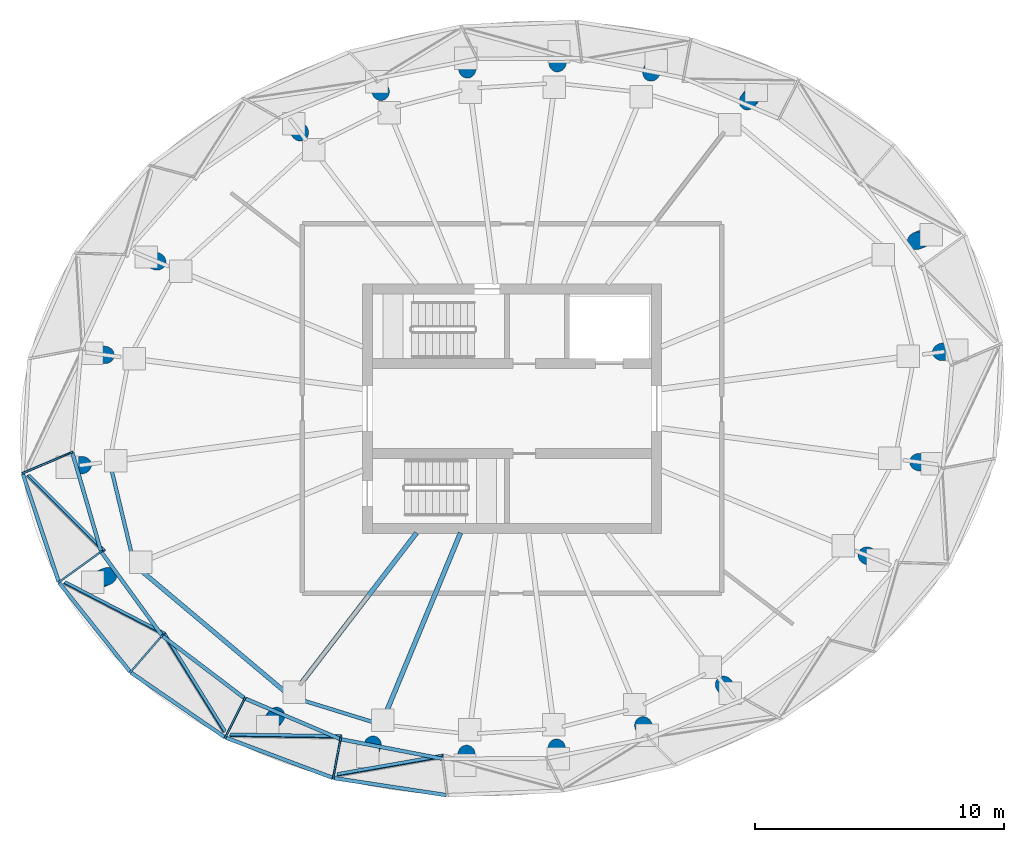
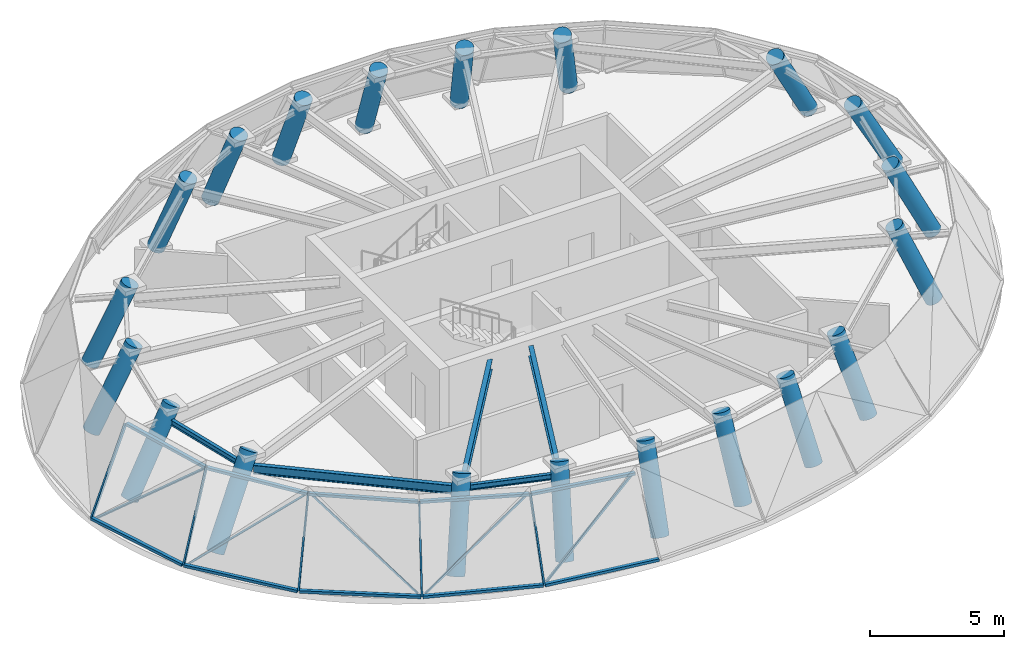
# One storey, part 1 of 9: 20 columns, 20 members, 5 beams, 10 elements without a shape of their own.
"""IFC4 building model written with IfcOpenShell, lengths in metres."""

from ifc_helpers import new_model, si_unit, direction, frame, origin, origin_2d, place, context, subcontext, project, spatial, rectangle, circle, i_section, extrude, source, transform, mapped, material, layer, layer_set, material_profile, profile_set, type_object, element, aggregate, save


model = new_model("IFC4")

# Units and contexts
model_context = context("Model", 3, precision=1e-05, world=origin(), true_north=direction((0.0, 1.0)))
body_context = subcontext(model_context, "Body", "Model", "MODEL_VIEW")
ifc_project = project(units=[si_unit("LENGTHUNIT", "METRE"), si_unit("AREAUNIT", "SQUARE_METRE"), si_unit("VOLUMEUNIT", "CUBIC_METRE"), si_unit("PLANEANGLEUNIT", "RADIAN"), si_unit("MASSUNIT", "GRAM", prefix="KILO")], contexts=[model_context])

# Site, building, storey
site_placement = place(None, origin())
site = spatial("IfcSite", under=ifc_project, at=site_placement, CompositionType="ELEMENT")
building_placement = place(site_placement, origin())
building = spatial("IfcBuilding", under=site, at=building_placement, Name="Spindrift Exchange Tower", CompositionType="ELEMENT")
storey_placement = place(building_placement, frame((0.0, 0.0, 273.10009765625)))
storey = spatial("IfcBuildingStorey", under=building, at=storey_placement, Name="L67", CompositionType="ELEMENT", Elevation=273.10009765625)

# Columns
ifc_material_1 = material(Name="Concrete 40 MPa", Category="concrete")
ifc_material_profile_1 = material_profile(ifc_material_1, circle(Radius=0.35009765625, at=origin_2d()), Name="RC D700")
ifc_profile_set_1 = profile_set([ifc_material_profile_1], Name="Concrete 40 MPa")
column_type = type_object("IfcColumnType", Name="RC Perimeter Column D700 Concrete 40 MPa", PredefinedType="COLUMN", material=ifc_profile_set_1)
shared_shape_1 = source(origin(), body_context, "Body", "SweptSolid", [
    extrude(circle(Radius=0.35009765625, at=origin_2d()), origin(), (0.0, 0.0, 1.0), 4.014404296875),
])
for number, where, z_axis, x_axis, name in (
    (1, (69.828125, 50.34716796875, 0.17431640625), (-0.485558404991, -0.063918071599, 0.871864390525), (0.130512333023, -0.991446685873, 0.0), "Perimeter column P6-01 L67"),
    (2, (34.171875, 45.65283203125, 0.17431640625), (0.485558404991, 0.063918071599, 0.871864390525), (-0.130512333023, 0.991446685873, 0.0), "Perimeter column P6-13 L67"),
):
    element("IfcColumn", number, at=place(storey_placement, frame(where, z_axis=z_axis, x_axis=x_axis)), inside=storey, type_object=column_type, Name=name, PredefinedType="COLUMN", context=body_context, shape_type="MappedRepresentation", body=[
        mapped(shared_shape_1, transform((0.0, 0.0, 0.0), scale=1.0)),
    ])
shared_shape_2 = source(origin(), body_context, "Body", "SweptSolid", [
    extrude(circle(Radius=0.35009765625, at=origin_2d()), origin(), (0.0, 0.0, 1.0), 3.907958984375),
])
for number, where, z_axis, x_axis, name in (
    (3, (61.78857421875, 60.756591796875, 0.15869140625), (-0.270818872405, -0.352907914698, 0.895607694302), (0.793328254579, -0.608794119951, 0.0), "Perimeter column P6-04 L67"),
    (4, (42.21142578125, 35.243408203125, 0.15869140625), (0.270818872405, 0.352907914698, 0.895607694302), (-0.793328254579, 0.608794119951, 0.0), "Perimeter column P6-16 L67"),
):
    element("IfcColumn", number, at=place(storey_placement, frame(where, z_axis=z_axis, x_axis=x_axis)), inside=storey, type_object=column_type, Name=name, PredefinedType="COLUMN", context=body_context, shape_type="MappedRepresentation", body=[
        mapped(shared_shape_2, transform((0.0, 0.0, 0.0), scale=1.0)),
    ])
shared_shape_3 = source(origin(), body_context, "Body", "SweptSolid", [
    extrude(circle(Radius=0.35009765625, at=origin_2d()), origin(), (0.0, 0.0, 1.0), 3.784423828125),
])
for number, where, z_axis, x_axis, name in (
    (5, (53.88330078125, 62.30419921875, 0.135986328125), (-0.049674543277, -0.377074942147, 0.924849678464), (0.99143407694, -0.130608081992, 0.0), "Perimeter column P6-06 L67"),
    (6, (50.11669921875, 33.69580078125, 0.135986328125), (0.049674543277, 0.377074942147, 0.924849678464), (-0.99143407694, 0.130608081992, 0.0), "Perimeter column P6-18 L67"),
):
    element("IfcColumn", number, at=place(storey_placement, frame(where, z_axis=z_axis, x_axis=x_axis)), inside=storey, type_object=column_type, Name=name, PredefinedType="COLUMN", context=body_context, shape_type="MappedRepresentation", body=[
        mapped(shared_shape_3, transform((0.0, 0.0, 0.0), scale=1.0)),
    ])
shared_shape_4 = source(origin(), body_context, "Body", "SweptSolid", [
    extrude(circle(Radius=0.35009765625, at=origin_2d()), origin(), (0.0, 0.0, 1.0), 3.75927734375),
])
for number, where, z_axis, x_axis, name in (
    (7, (50.152099609375, 62.0361328125, 0.130615234375), (0.047668800905, -0.361802302239, 0.931035326674), (0.991431868961, 0.130624841468, 0.0), "Perimeter column P6-07 L67"),
    (8, (53.847900390625, 33.9638671875, 0.130615234375), (-0.047668800905, 0.361802302239, 0.931035326674), (-0.991431868961, -0.130624841468, 0.0), "Perimeter column P6-19 L67"),
):
    element("IfcColumn", number, at=place(storey_placement, frame(where, z_axis=z_axis, x_axis=x_axis)), inside=storey, type_object=column_type, Name=name, PredefinedType="COLUMN", context=body_context, shape_type="MappedRepresentation", body=[
        mapped(shared_shape_4, transform((0.0, 0.0, 0.0), scale=1.0)),
    ])
shared_shape_5 = source(origin(), body_context, "Body", "SweptSolid", [
    extrude(circle(Radius=0.35009765625, at=origin_2d()), origin(), (0.0, 0.0, 1.0), 3.746826171875),
])
for number, where, z_axis, x_axis, name in (
    (9, (46.574462890625, 61.098388671875, 0.127685546875), (0.136577604612, -0.329715018769, 0.934149112464), (0.923874408562, 0.38269580244, 0.0), "Perimeter column P6-08 L67"),
    (10, (57.425537109375, 34.901611328125, 0.127685546875), (-0.136577604612, 0.329715018769, 0.934149112464), (-0.923874408562, -0.38269580244, 0.0), "Perimeter column P6-20 L67"),
):
    element("IfcColumn", number, at=place(storey_placement, frame(where, z_axis=z_axis, x_axis=x_axis)), inside=storey, type_object=column_type, Name=name, PredefinedType="COLUMN", context=body_context, shape_type="MappedRepresentation", body=[
        mapped(shared_shape_5, transform((0.0, 0.0, 0.0), scale=1.0)),
    ])
shared_shape_6 = source(origin(), body_context, "Body", "SweptSolid", [
    extrude(circle(Radius=0.35009765625, at=origin_2d()), origin(), (0.0, 0.0, 1.0), 3.807373046875),
])
for number, where, z_axis, x_axis, name in (
    (11, (37.3330078125, 54.0751953125, 0.140625), (0.363645996148, -0.150626775693, 0.919278610613), (0.382682721486, 0.923879826967, 0.0), "Perimeter column P6-11 L67"),
    (12, (66.6669921875, 41.9248046875, 0.140625), (-0.363645996148, 0.150626775693, 0.919278610613), (-0.382682721486, -0.923879826967, 0.0), "Perimeter column P6-23 L67"),
):
    element("IfcColumn", number, at=place(storey_placement, frame(where, z_axis=z_axis, x_axis=x_axis)), inside=storey, type_object=column_type, Name=name, PredefinedType="COLUMN", context=body_context, shape_type="MappedRepresentation", body=[
        mapped(shared_shape_6, transform((0.0, 0.0, 0.0), scale=1.0)),
    ])
shared_shape_7 = source(origin(), body_context, "Body", "SweptSolid", [
    extrude(circle(Radius=0.35009765625, at=origin_2d()), origin(), (0.0, 0.0, 1.0), 3.898193359375),
])
for number, where, z_axis, x_axis, name in (
    (13, (35.161865234375, 50.216796875, 0.156982421875), (0.436525820631, -0.057493644669, 0.897852821316), (0.130579616175, 0.991437826512, 0.0), "Perimeter column P6-12 L67"),
    (14, (68.838134765625, 45.783203125, 0.156982421875), (-0.436525820631, 0.057493644669, 0.897852821316), (-0.130579616175, -0.991437826512, 0.0), "Perimeter column P6-24 L67"),
):
    element("IfcColumn", number, at=place(storey_placement, frame(where, z_axis=z_axis, x_axis=x_axis)), inside=storey, type_object=column_type, Name=name, PredefinedType="COLUMN", context=body_context, shape_type="MappedRepresentation", body=[
        mapped(shared_shape_7, transform((0.0, 0.0, 0.0), scale=1.0)),
    ])
shared_shape_8 = source(origin(), body_context, "Body", "SweptSolid", [
    extrude(circle(Radius=0.35009765625, at=origin_2d()), origin(), (0.0, 0.0, 1.0), 4.069580078125),
])
for number, where, z_axis, x_axis, name in (
    (15, (68.801513671875, 54.95947265625, 0.181396484375), (-0.471360109961, -0.195275188739, 0.860050723737), (0.38273602667, -0.923857745483, 0.0), "Perimeter column P6-02 L67"),
    (16, (35.198486328125, 41.04052734375, 0.181396484375), (0.471360109961, 0.195275188739, 0.860050723737), (-0.38273602667, 0.923857745483, 0.0), "Perimeter column P6-14 L67"),
):
    element("IfcColumn", number, at=place(storey_placement, frame(where, z_axis=z_axis, x_axis=x_axis)), inside=storey, type_object=column_type, Name=name, PredefinedType="COLUMN", context=body_context, shape_type="MappedRepresentation", body=[
        mapped(shared_shape_8, transform((0.0, 0.0, 0.0), scale=1.0)),
    ])
shared_shape_9 = source(origin(), body_context, "Body", "SweptSolid", [
    extrude(circle(Radius=0.35009765625, at=origin_2d()), origin(), (0.0, 0.0, 1.0), 3.833740234375),
])
for number, where, z_axis, x_axis, name in (
    (17, (57.773193359375, 61.9375, 0.145751953125), (-0.156149965991, -0.377001549212, 0.912955102956), (0.923887493655, -0.382664211899, 0.0), "Perimeter column P6-05 L67"),
    (18, (46.226806640625, 34.0625, 0.145751953125), (0.156149965991, 0.377001549212, 0.912955102956), (-0.923887493655, 0.382664211899, 0.0), "Perimeter column P6-17 L67"),
):
    element("IfcColumn", number, at=place(storey_placement, frame(where, z_axis=z_axis, x_axis=x_axis)), inside=storey, type_object=column_type, Name=name, PredefinedType="COLUMN", context=body_context, shape_type="MappedRepresentation", body=[
        mapped(shared_shape_9, transform((0.0, 0.0, 0.0), scale=1.0)),
    ])
shared_shape_10 = source(origin(), body_context, "Body", "SweptSolid", [
    extrude(circle(Radius=0.35009765625, at=origin_2d()), origin(), (0.0, 0.0, 1.0), 3.738525390625),
])
for number, where, z_axis, x_axis, name in (
    (19, (43.244384765625, 59.410400390625, 0.1259765625), (0.213999096527, -0.278845328706, 0.936188906869), (0.79330723931, 0.608821504267, 0.0), "Perimeter column P6-09 L67"),
    (20, (60.755615234375, 36.589599609375, 0.1259765625), (-0.213999096527, 0.278845328706, 0.936188906869), (-0.79330723931, -0.608821504267, 0.0), "Perimeter column P6-21 L67"),
):
    element("IfcColumn", number, at=place(storey_placement, frame(where, z_axis=z_axis, x_axis=x_axis)), inside=storey, type_object=column_type, Name=name, PredefinedType="COLUMN", context=body_context, shape_type="MappedRepresentation", body=[
        mapped(shared_shape_10, transform((0.0, 0.0, 0.0), scale=1.0)),
    ])

# Beams
ifc_material_2 = material(Name="Steel Grade 300", Category="steel")
ifc_material_profile_2 = material_profile(ifc_material_2, i_section(OverallWidth=0.18994140625, OverallDepth=0.45703125, WebThickness=0.009033203125, FlangeThickness=0.014404296875, FilletRadius=0.013916015625, at=origin_2d()), Name="460UB74.6")
ifc_profile_set_2 = profile_set([ifc_material_profile_2], Name="Steel Grade 300")
beam_type_1 = type_object("IfcBeamType", Name="Floor Beam 460UB74.6 Steel Grade 300", PredefinedType="BEAM", material=ifc_profile_set_2)
shared_shape_11 = source(origin(), body_context, "Body", "SweptSolid", [
    extrude(i_section(OverallWidth=0.18994140625, OverallDepth=0.45703125, WebThickness=0.009033203125, FlangeThickness=0.014404296875, FilletRadius=0.013916015625, at=origin_2d()), origin(), (0.0, 0.0, 1.0), 7.946533203125),
])
beam_1_placement = place(storey_placement, frame((48.175537109375, 43.015869140625, 2.991455078125), z_axis=(-0.608767523831, -0.793348663532, 0.0), x_axis=(0.793348663532, -0.608767523831, 0.0)))
element("IfcBeam", 21, at=beam_1_placement, inside=storey, type_object=beam_type_1, Name="L67 radial beam R16A", PredefinedType="BEAM", context=body_context, shape_type="MappedRepresentation", body=[
    mapped(shared_shape_11, transform((0.0, 0.0, 0.0), scale=1.0)),
])
shared_shape_12 = source(origin(), body_context, "Body", "SweptSolid", [
    extrude(i_section(OverallWidth=0.18994140625, OverallDepth=0.45703125, WebThickness=0.009033203125, FlangeThickness=0.014404296875, FilletRadius=0.013916015625, at=origin_2d()), origin(), (0.0, 0.0, 1.0), 7.989990234375),
])
beam_2_placement = place(storey_placement, frame((49.9365234375, 43.0185546875, 2.991455078125), z_axis=(-0.382679226245, -0.923881274732, 0.0), x_axis=(0.923881274732, -0.382679226245, 0.0)))
element("IfcBeam", 22, at=beam_2_placement, inside=storey, type_object=beam_type_1, Name="L67 radial beam R17A", PredefinedType="BEAM", context=body_context, shape_type="MappedRepresentation", body=[
    mapped(shared_shape_12, transform((0.0, 0.0, 0.0), scale=1.0)),
])
ifc_material_profile_3 = material_profile(ifc_material_2, i_section(OverallWidth=0.14599609375, OverallDepth=0.251953125, WebThickness=0.006103515625, FlangeThickness=0.008544921875, FilletRadius=0.011962890625, at=origin_2d()), Name="250UB31.4")
ifc_profile_set_3 = profile_set([ifc_material_profile_3], Name="Steel Grade 300")
beam_type_2 = type_object("IfcBeamType", Name="Edge Beam 250UB31.4 Steel Grade 300", PredefinedType="SPANDREL", material=ifc_profile_set_3)
shared_shape_13 = source(origin(), body_context, "Body", "SweptSolid", [
    extrude(i_section(OverallWidth=0.14599609375, OverallDepth=0.251953125, WebThickness=0.006103515625, FlangeThickness=0.008544921875, FilletRadius=0.011962890625, at=origin_2d()), origin(), (0.0, 0.0, 1.0), 3.603759765625),
])
beam_3_placement = place(storey_placement, frame((35.9453125, 45.555419921875, 3.093994140625), z_axis=(0.233454944562, -0.972367620224, 0.0), x_axis=(0.972367620224, 0.233454944562, 0.0)))
element("IfcBeam", 23, at=beam_3_placement, inside=storey, type_object=beam_type_2, Name="L67 edge beam E13", PredefinedType="SPANDREL", context=body_context, shape_type="MappedRepresentation", body=[
    mapped(shared_shape_13, transform((0.0, 0.0, 0.0), scale=1.0)),
])
ifc_material_profile_4 = material_profile(ifc_material_2, i_section(OverallWidth=0.177978515625, OverallDepth=0.406005859375, WebThickness=0.0078125, FlangeThickness=0.0126953125, FilletRadius=0.013916015625, at=origin_2d()), Name="410UB59.7")
ifc_profile_set_4 = profile_set([ifc_material_profile_4], Name="Steel Grade 300")
beam_type_3 = type_object("IfcBeamType", Name="Edge Beam 410UB59.7 Steel Grade 300", PredefinedType="SPANDREL", material=ifc_profile_set_4)
shared_shape_14 = source(origin(), body_context, "Body", "SweptSolid", [
    extrude(i_section(OverallWidth=0.177978515625, OverallDepth=0.406005859375, WebThickness=0.0078125, FlangeThickness=0.0126953125, FilletRadius=0.013916015625, at=origin_2d()), origin(), (0.0, 0.0, 1.0), 7.540283203125),
])
beam_4_placement = place(storey_placement, frame((37.1162109375, 41.517822265625, 3.016845703125), z_axis=(0.765043005757, -0.6439791917, 0.0), x_axis=(0.6439791917, 0.765043005757, 0.0)))
element("IfcBeam", 24, at=beam_4_placement, inside=storey, type_object=beam_type_3, Name="L67 edge beam E14", PredefinedType="SPANDREL", context=body_context, shape_type="MappedRepresentation", body=[
    mapped(shared_shape_14, transform((0.0, 0.0, 0.0), scale=1.0)),
])
shared_shape_15 = source(origin(), body_context, "Body", "SweptSolid", [
    extrude(i_section(OverallWidth=0.14599609375, OverallDepth=0.251953125, WebThickness=0.006103515625, FlangeThickness=0.008544921875, FilletRadius=0.011962890625, at=origin_2d()), origin(), (0.0, 0.0, 1.0), 3.12451171875),
])
beam_5_placement = place(storey_placement, frame((43.452392578125, 36.352294921875, 3.093994140625), z_axis=(0.955386205653, -0.295359438731, 0.0), x_axis=(0.295359438731, 0.955386205653, 0.0)))
element("IfcBeam", 25, at=beam_5_placement, inside=storey, type_object=beam_type_2, Name="L67 edge beam E16", PredefinedType="SPANDREL", context=body_context, shape_type="MappedRepresentation", body=[
    mapped(shared_shape_15, transform((0.0, 0.0, 0.0), scale=1.0)),
])

# Curtain wall, member
ifc_material_3 = material(Name="Fritted laminated glass with bronze frame", Category="glass")
ifc_layer = layer(ifc_material_3, 0.14990234375)
ifc_layer_set = layer_set([ifc_layer], Name="CROWN BRONZE RAKED GLAZED WALL")
curtain_wall_type = type_object("IfcCurtainWallType", Name="CROWN BRONZE RAKED GLAZED WALL", PredefinedType="NOTDEFINED", material=ifc_layer_set)
curtain_wall_1_placement = place(storey_placement, origin())
curtain_wall_1 = element("IfcCurtainWall", 26, at=curtain_wall_1_placement, inside=storey, type_object=curtain_wall_type, Name="L67 Crown Bronze Raked Glazed Wall facet 25", PredefinedType="NOTDEFINED")
ifc_material_4 = material(Name="Bronze anodised aluminium", Category="aluminium")
ifc_material_profile_5 = material_profile(ifc_material_4, rectangle(XDim=0.14990234375, YDim=0.1201171875, at=origin_2d()), Name="CROWN BRONZE RAKED GLAZED WALL TRANSOM 150X120")
ifc_profile_set_5 = profile_set([ifc_material_profile_5], Name="Bronze anodised aluminium")
member_type_1 = type_object("IfcMemberType", Name="CROWN BRONZE RAKED GLAZED WALL TRANSOM 150X120", PredefinedType="USERDEFINED", material=ifc_profile_set_5)
shared_shape_16 = source(origin(), body_context, "Body", "SweptSolid", [
    extrude(rectangle(XDim=0.14990234375, YDim=0.1201171875, at=origin_2d()), origin(), (0.0, 0.0, 1.0), 4.533203125),
])
member_1_placement = place(storey_placement, frame((32.393798828125, 45.375732421875, 0.059814453125), z_axis=(0.315112723988, -0.949054250916, 0.0), x_axis=(0.949054250916, 0.315112723988, 0.0)))
member_1 = element("IfcMember", 27, at=member_1_placement, type_object=member_type_1, Name="L67 transom CW-R.13a", ObjectType="TRANSOM", PredefinedType="USERDEFINED", context=body_context, shape_type="MappedRepresentation", body=[
    mapped(shared_shape_16, transform((0.0, 0.0, 0.0), scale=1.0)),
])

curtain_wall_2_placement = place(storey_placement, origin())
curtain_wall_2 = element("IfcCurtainWall", 28, at=curtain_wall_2_placement, inside=storey, type_object=curtain_wall_type, Name="L67 Crown Bronze Raked Glazed Wall facet 27", PredefinedType="NOTDEFINED")
shared_shape_17 = source(origin(), body_context, "Body", "SweptSolid", [
    extrude(rectangle(XDim=0.14990234375, YDim=0.1201171875, at=origin_2d()), origin(), (0.0, 0.0, 1.0), 4.5400390625),
])
member_2_placement = place(storey_placement, frame((33.85498046875, 41.0126953125, 0.059814453125), z_axis=(0.62281769166, -0.78236700017, 0.0), x_axis=(0.78236700017, 0.62281769166, 0.0)))
member_2 = element("IfcMember", 29, at=member_2_placement, type_object=member_type_1, Name="L67 transom CW-R.14a", ObjectType="TRANSOM", PredefinedType="USERDEFINED", context=body_context, shape_type="MappedRepresentation", body=[
    mapped(shared_shape_17, transform((0.0, 0.0, 0.0), scale=1.0)),
])

curtain_wall_3_placement = place(storey_placement, origin())
curtain_wall_3 = element("IfcCurtainWall", 30, at=curtain_wall_3_placement, inside=storey, type_object=curtain_wall_type, Name="L67 Crown Bronze Raked Glazed Wall facet 29", PredefinedType="NOTDEFINED")
shared_shape_18 = source(origin(), body_context, "Body", "SweptSolid", [
    extrude(rectangle(XDim=0.14990234375, YDim=0.1201171875, at=origin_2d()), origin(), (0.0, 0.0, 1.0), 4.546630859375),
])
member_3_placement = place(storey_placement, frame((40.477783203125, 34.8349609375, 0.059814453125), z_axis=(-0.82361239241, 0.567153089623, 0.0), x_axis=(-0.567153089623, -0.82361239241, 0.0)))
member_3 = element("IfcMember", 31, at=member_3_placement, type_object=member_type_1, Name="L67 transom CW-R.15a", ObjectType="TRANSOM", PredefinedType="USERDEFINED", context=body_context, shape_type="MappedRepresentation", body=[
    mapped(shared_shape_18, transform((0.0, 0.0, 0.0), scale=1.0)),
])

curtain_wall_4_placement = place(storey_placement, origin())
curtain_wall_4 = element("IfcCurtainWall", 32, at=curtain_wall_4_placement, inside=storey, type_object=curtain_wall_type, Name="L67 Crown Bronze Raked Glazed Wall facet 31", PredefinedType="NOTDEFINED")
shared_shape_19 = source(origin(), body_context, "Body", "SweptSolid", [
    extrude(rectangle(XDim=0.14990234375, YDim=0.1201171875, at=origin_2d()), origin(), (0.0, 0.0, 1.0), 4.55078125),
])
member_4_placement = place(storey_placement, frame((40.539306640625, 34.802734375, 0.059814453125), z_axis=(0.93618358211, -0.351511451575, 0.0), x_axis=(0.351511451575, 0.93618358211, 0.0)))
member_4 = element("IfcMember", 33, at=member_4_placement, type_object=member_type_1, Name="L67 transom CW-R.16a", ObjectType="TRANSOM", PredefinedType="USERDEFINED", context=body_context, shape_type="MappedRepresentation", body=[
    mapped(shared_shape_19, transform((0.0, 0.0, 0.0), scale=1.0)),
])

curtain_wall_5_placement = place(storey_placement, origin())
curtain_wall_5 = element("IfcCurtainWall", 34, at=curtain_wall_5_placement, inside=storey, type_object=curtain_wall_type, Name="L67 Crown Bronze Raked Glazed Wall facet 33", PredefinedType="NOTDEFINED")
shared_shape_20 = source(origin(), body_context, "Body", "SweptSolid", [
    extrude(rectangle(XDim=0.14990234375, YDim=0.1201171875, at=origin_2d()), origin(), (0.0, 0.0, 1.0), 4.552734375),
])
member_5_placement = place(storey_placement, frame((44.866943359375, 33.185546875, 0.059814453125), z_axis=(0.988728497465, -0.149719598922, 0.0), x_axis=(0.149719598922, 0.988728497465, 0.0)))
member_5 = element("IfcMember", 35, at=member_5_placement, type_object=member_type_1, Name="L67 transom CW-R.17a", ObjectType="TRANSOM", PredefinedType="USERDEFINED", context=body_context, shape_type="MappedRepresentation", body=[
    mapped(shared_shape_20, transform((0.0, 0.0, 0.0), scale=1.0)),
])

# Curtain wall, members
curtain_wall_6_placement = place(storey_placement, origin())
curtain_wall_6 = element("IfcCurtainWall", 36, at=curtain_wall_6_placement, inside=storey, type_object=curtain_wall_type, Name="L67 Crown Bronze Raked Glazed Wall facet 26", PredefinedType="NOTDEFINED")
shared_shape_21 = source(origin(), body_context, "Body", "SweptSolid", [
    extrude(rectangle(XDim=0.14990234375, YDim=0.1201171875, at=origin_2d()), origin(), (0.0, 0.0, 1.0), 4.083740234375),
])
member_6_placement = place(storey_placement, frame((34.38037109375, 46.218505859375, 3.159912109375), z_axis=(0.279187231676, -0.960236684193, 0.0), x_axis=(0.960236684193, 0.279187231676, 0.0)))
member_6 = element("IfcMember", 37, at=member_6_placement, type_object=member_type_1, Name="L67 transom CW-R.13b", ObjectType="TRANSOM", PredefinedType="USERDEFINED", context=body_context, shape_type="MappedRepresentation", body=[
    mapped(shared_shape_21, transform((0.0, 0.0, 0.0), scale=1.0)),
])
ifc_material_profile_6 = material_profile(ifc_material_4, rectangle(XDim=0.070068359375, YDim=0.14990234375, at=origin_2d()), Name="CROWN BRONZE RAKED GLAZED WALL MULLION 70X150")
ifc_profile_set_6 = profile_set([ifc_material_profile_6], Name="Bronze anodised aluminium")
member_type_2 = type_object("IfcMemberType", Name="CROWN BRONZE RAKED GLAZED WALL MULLION 70X150", PredefinedType="MULLION", material=ifc_profile_set_6)
shared_shape_22 = source(origin(), body_context, "Body", "SweptSolid", [
    extrude(rectangle(XDim=0.070068359375, YDim=0.14990234375, at=origin_2d()), origin(), (0.0, 0.0, 1.0), 3.7763671875),
])
member_7_placement = place(storey_placement, frame((32.40869140625, 45.419921875, 0.041748046875), z_axis=(0.512732068649, 0.217479596386, 0.830547079301), x_axis=(-0.390484264411, 0.920609601974, 0.0)))
member_7 = element("IfcMember", 38, at=member_7_placement, type_object=member_type_2, Name="L67 mullion CW-R.13", PredefinedType="MULLION", context=body_context, shape_type="MappedRepresentation", body=[
    mapped(shared_shape_22, transform((0.0, 0.0, 0.0), scale=1.0)),
])
aggregate(curtain_wall_6, [member_6, member_7])

# Member
shared_shape_23 = source(origin(), body_context, "Body", "SweptSolid", [
    extrude(rectangle(XDim=0.070068359375, YDim=0.14990234375, at=origin_2d()), origin(), (0.0, 0.0, 1.0), 5.285400390625),
])
member_8_placement = place(storey_placement, frame((32.609619140625, 45.319091796875, 0.060791015625), z_axis=(0.57305094382, -0.572681412339, 0.586215502822), x_axis=(0.141510487084, 0.773718484908, 0.617522864481)))
member_8 = element("IfcMember", 39, at=member_8_placement, type_object=member_type_2, Name="L67 glazing bar CW-R.13", PredefinedType="MULLION", context=body_context, shape_type="MappedRepresentation", body=[
    mapped(shared_shape_23, transform((0.0, 0.0, 0.0), scale=1.0)),
])

aggregate(curtain_wall_1, [member_1, member_8])

# Curtain wall, members
curtain_wall_7_placement = place(storey_placement, origin())
curtain_wall_7 = element("IfcCurtainWall", 40, at=curtain_wall_7_placement, inside=storey, type_object=curtain_wall_type, Name="L67 Crown Bronze Raked Glazed Wall facet 28", PredefinedType="NOTDEFINED")
shared_shape_24 = source(origin(), body_context, "Body", "SweptSolid", [
    extrude(rectangle(XDim=0.14990234375, YDim=0.1201171875, at=origin_2d()), origin(), (0.0, 0.0, 1.0), 4.0888671875),
])
member_9_placement = place(storey_placement, frame((35.55078125, 42.235107421875, 3.159912109375), z_axis=(0.587305084769, -0.809365638883, 0.0), x_axis=(0.809365638883, 0.587305084769, 0.0)))
member_9 = element("IfcMember", 41, at=member_9_placement, type_object=member_type_1, Name="L67 transom CW-R.14b", ObjectType="TRANSOM", PredefinedType="USERDEFINED", context=body_context, shape_type="MappedRepresentation", body=[
    mapped(shared_shape_24, transform((0.0, 0.0, 0.0), scale=1.0)),
])
shared_shape_25 = source(origin(), body_context, "Body", "SweptSolid", [
    extrude(rectangle(XDim=0.070068359375, YDim=0.14990234375, at=origin_2d()), origin(), (0.0, 0.0, 1.0), 3.742431640625),
])
member_10_placement = place(storey_placement, frame((33.854736328125, 41.0556640625, 0.040771484375), z_axis=(0.441971644263, 0.318610997871, 0.838539264259), x_axis=(-0.58477775628, 0.811193550122, 0.0)))
member_10 = element("IfcMember", 42, at=member_10_placement, type_object=member_type_2, Name="L67 mullion CW-R.14", PredefinedType="MULLION", context=body_context, shape_type="MappedRepresentation", body=[
    mapped(shared_shape_25, transform((0.0, 0.0, 0.0), scale=1.0)),
])
aggregate(curtain_wall_7, [member_9, member_10])

# Member
shared_shape_26 = source(origin(), body_context, "Body", "SweptSolid", [
    extrude(rectangle(XDim=0.070068359375, YDim=0.14990234375, at=origin_2d()), origin(), (0.0, 0.0, 1.0), 5.447998046875),
])
member_11_placement = place(storey_placement, frame((34.081298828125, 41.02392578125, 0.0615234375), z_axis=(0.730666176199, -0.378216652997, 0.568400477088), x_axis=(-0.111432011429, 0.755306854642, 0.64582850832)))
member_11 = element("IfcMember", 43, at=member_11_placement, type_object=member_type_2, Name="L67 glazing bar CW-R.14", PredefinedType="MULLION", context=body_context, shape_type="MappedRepresentation", body=[
    mapped(shared_shape_26, transform((0.0, 0.0, 0.0), scale=1.0)),
])

aggregate(curtain_wall_2, [member_2, member_11])

# Curtain wall, member
curtain_wall_8_placement = place(storey_placement, origin())
curtain_wall_8 = element("IfcCurtainWall", 44, at=curtain_wall_8_placement, inside=storey, type_object=curtain_wall_type, Name="L67 Crown Bronze Raked Glazed Wall facet 30", PredefinedType="NOTDEFINED")
shared_shape_27 = source(origin(), body_context, "Body", "SweptSolid", [
    extrude(rectangle(XDim=0.14990234375, YDim=0.1201171875, at=origin_2d()), origin(), (0.0, 0.0, 1.0), 4.09423828125),
])
member_12_placement = place(storey_placement, frame((41.262451171875, 36.40185546875, 3.159912109375), z_axis=(-0.796718002417, 0.604351242759, 0.0), x_axis=(-0.604351242759, -0.796718002417, 0.0)))
member_12 = element("IfcMember", 45, at=member_12_placement, type_object=member_type_1, Name="L67 transom CW-R.15b", ObjectType="TRANSOM", PredefinedType="USERDEFINED", context=body_context, shape_type="MappedRepresentation", body=[
    mapped(shared_shape_27, transform((0.0, 0.0, 0.0), scale=1.0)),
])

# Member
shared_shape_28 = source(origin(), body_context, "Body", "SweptSolid", [
    extrude(rectangle(XDim=0.070068359375, YDim=0.14990234375, at=origin_2d()), origin(), (0.0, 0.0, 1.0), 3.66748046875),
])
member_13_placement = place(storey_placement, frame((36.719482421875, 37.450927734375, 0.03857421875), z_axis=(0.33757115033, 0.389628069983, 0.856875536788), x_axis=(-0.75579132792, 0.654812544658, 0.0)))
member_13 = element("IfcMember", 46, at=member_13_placement, type_object=member_type_2, Name="L67 mullion CW-R.15", PredefinedType="MULLION", context=body_context, shape_type="MappedRepresentation", body=[
    mapped(shared_shape_28, transform((0.0, 0.0, 0.0), scale=1.0)),
])

aggregate(curtain_wall_3, [member_3, member_13])

shared_shape_29 = source(origin(), body_context, "Body", "SweptSolid", [
    extrude(rectangle(XDim=0.070068359375, YDim=0.14990234375, at=origin_2d()), origin(), (0.0, 0.0, 1.0), 5.56005859375),
])
member_14_placement = place(storey_placement, frame((40.477294921875, 35.0595703125, 0.062255859375), z_axis=(-0.438080548071, 0.705793999167, 0.556722789314), x_axis=(-0.72620021576, 0.087157406589, -0.681936091659)))
member_14 = element("IfcMember", 47, at=member_14_placement, type_object=member_type_2, Name="L67 glazing bar CW-R.15", PredefinedType="MULLION", context=body_context, shape_type="MappedRepresentation", body=[
    mapped(shared_shape_29, transform((0.0, 0.0, 0.0), scale=1.0)),
])

aggregate(curtain_wall_8, [member_12, member_14])

# Curtain wall, members
curtain_wall_9_placement = place(storey_placement, origin())
curtain_wall_9 = element("IfcCurtainWall", 48, at=curtain_wall_9_placement, inside=storey, type_object=curtain_wall_type, Name="L67 Crown Bronze Raked Glazed Wall facet 32", PredefinedType="NOTDEFINED")
shared_shape_30 = source(origin(), body_context, "Body", "SweptSolid", [
    extrude(rectangle(XDim=0.14990234375, YDim=0.1201171875, at=origin_2d()), origin(), (0.0, 0.0, 1.0), 4.097900390625),
])
member_15_placement = place(storey_placement, frame((41.322509765625, 36.366943359375, 3.159912109375), z_axis=(0.91998419877, -0.391955449016, 0.0), x_axis=(0.391955449016, 0.91998419877, 0.0)))
member_15 = element("IfcMember", 49, at=member_15_placement, type_object=member_type_1, Name="L67 transom CW-R.16b", ObjectType="TRANSOM", PredefinedType="USERDEFINED", context=body_context, shape_type="MappedRepresentation", body=[
    mapped(shared_shape_30, transform((0.0, 0.0, 0.0), scale=1.0)),
])
shared_shape_31 = source(origin(), body_context, "Body", "SweptSolid", [
    extrude(rectangle(XDim=0.070068359375, YDim=0.14990234375, at=origin_2d()), origin(), (0.0, 0.0, 1.0), 3.583740234375),
])
member_16_placement = place(storey_placement, frame((40.515380859375, 34.83251953125, 0.03564453125), z_axis=(0.213777896115, 0.427147039082, 0.878546764912), x_axis=(-0.894255976032, 0.447555861689, 0.0)))
member_16 = element("IfcMember", 50, at=member_16_placement, type_object=member_type_2, Name="L67 mullion CW-R.16", PredefinedType="MULLION", context=body_context, shape_type="MappedRepresentation", body=[
    mapped(shared_shape_31, transform((0.0, 0.0, 0.0), scale=1.0)),
])
aggregate(curtain_wall_9, [member_15, member_16])

# Member
shared_shape_32 = source(origin(), body_context, "Body", "SweptSolid", [
    extrude(rectangle(XDim=0.070068359375, YDim=0.14990234375, at=origin_2d()), origin(), (0.0, 0.0, 1.0), 5.415283203125),
])
member_17_placement = place(storey_placement, frame((40.715087890625, 34.919189453125, 0.0615234375), z_axis=(0.820246628487, -0.012082340136, 0.571882405318), x_axis=(-0.475028236605, 0.542574093096, 0.692792557646)))
member_17 = element("IfcMember", 51, at=member_17_placement, type_object=member_type_2, Name="L67 glazing bar CW-R.16", PredefinedType="MULLION", context=body_context, shape_type="MappedRepresentation", body=[
    mapped(shared_shape_32, transform((0.0, 0.0, 0.0), scale=1.0)),
])

aggregate(curtain_wall_4, [member_4, member_17])

# Curtain wall, members
curtain_wall_10_placement = place(storey_placement, origin())
curtain_wall_10 = element("IfcCurtainWall", 52, at=curtain_wall_10_placement, inside=storey, type_object=curtain_wall_type, Name="L67 Crown Bronze Raked Glazed Wall facet 34", PredefinedType="NOTDEFINED")
shared_shape_33 = source(origin(), body_context, "Body", "SweptSolid", [
    extrude(rectangle(XDim=0.14990234375, YDim=0.1201171875, at=origin_2d()), origin(), (0.0, 0.0, 1.0), 4.099609375),
])
member_18_placement = place(storey_placement, frame((45.1591796875, 34.740478515625, 3.159912109375), z_axis=(0.982054412804, -0.188597800337, 0.0), x_axis=(0.188597800337, 0.982054412804, 0.0)))
member_18 = element("IfcMember", 53, at=member_18_placement, type_object=member_type_1, Name="L67 transom CW-R.17b", ObjectType="TRANSOM", PredefinedType="USERDEFINED", context=body_context, shape_type="MappedRepresentation", body=[
    mapped(shared_shape_33, transform((0.0, 0.0, 0.0), scale=1.0)),
])
shared_shape_34 = source(origin(), body_context, "Body", "SweptSolid", [
    extrude(rectangle(XDim=0.070068359375, YDim=0.14990234375, at=origin_2d()), origin(), (0.0, 0.0, 1.0), 3.5146484375),
])
member_19_placement = place(storey_placement, frame((44.83544921875, 33.206787109375, 0.032958984375), z_axis=(0.081413265478, 0.433740980923, 0.897352016587), x_axis=(-0.982836529698, 0.18447860551, 0.0)))
member_19 = element("IfcMember", 54, at=member_19_placement, type_object=member_type_2, Name="L67 mullion CW-R.17", PredefinedType="MULLION", context=body_context, shape_type="MappedRepresentation", body=[
    mapped(shared_shape_34, transform((0.0, 0.0, 0.0), scale=1.0)),
])
aggregate(curtain_wall_10, [member_18, member_19])

# Member
shared_shape_35 = source(origin(), body_context, "Body", "SweptSolid", [
    extrude(rectangle(XDim=0.070068359375, YDim=0.14990234375, at=origin_2d()), origin(), (0.0, 0.0, 1.0), 5.28857421875),
])
member_20_placement = place(storey_placement, frame((45.003173828125, 33.332275390625, 0.060791015625), z_axis=(0.798215463194, 0.140060477435, 0.585862728784), x_axis=(-0.586025474917, 0.405600790039, 0.70147141201)))
member_20 = element("IfcMember", 55, at=member_20_placement, type_object=member_type_2, Name="L67 glazing bar CW-R.17", PredefinedType="MULLION", context=body_context, shape_type="MappedRepresentation", body=[
    mapped(shared_shape_35, transform((0.0, 0.0, 0.0), scale=1.0)),
])

aggregate(curtain_wall_5, [member_5, member_20])

save(model, "model.ifc")
